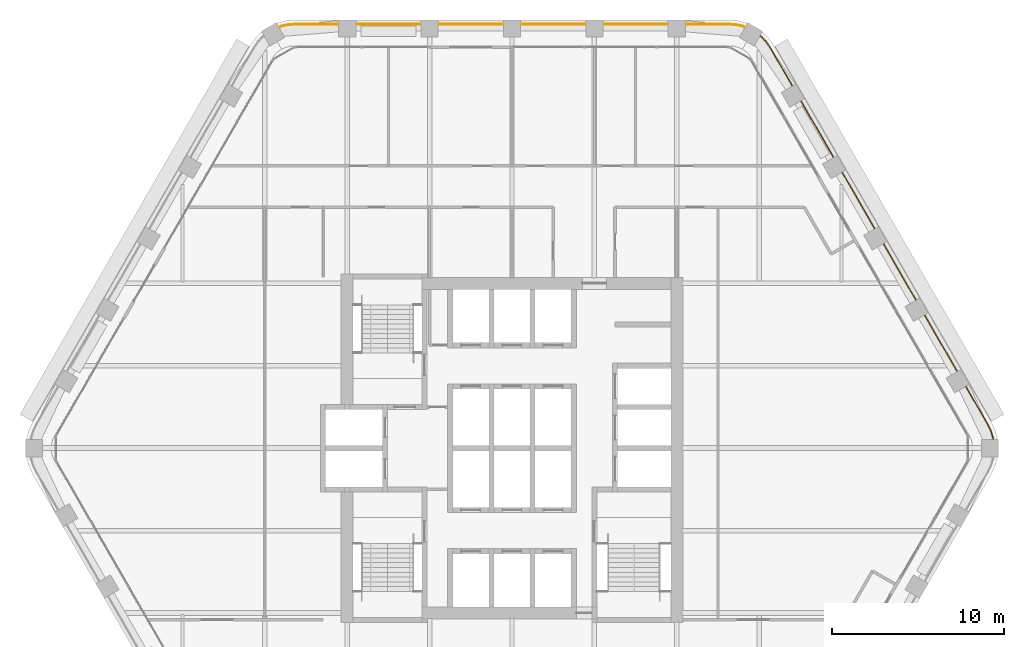
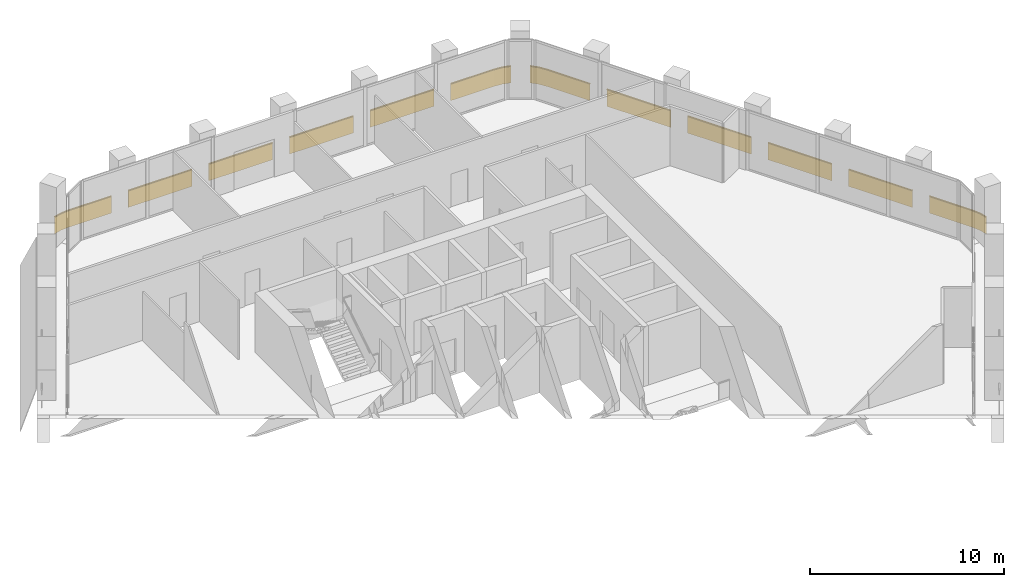
# One storey, part 15 of 15: 2 railings.
"""IFC4 building model written with IfcOpenShell, lengths in metres."""

import ifcopenshell
import ifcopenshell.guid

model = None  # the IFC model being written
_history = None  # IfcOwnerHistory: only IFC2X3 demands one
_inside = {}  # id of a spatial element -> (the spatial element, [elements in it])
_under = {}  # id of a project, library or spatial element -> (it, [spatial elements below it])
_declared = {}  # id of a project -> (the project, [libraries it declares])
_typed = {}  # id of a type object -> (the type object, [elements of that type])
_made_of = {}  # id of a material, layer set ... -> (it, [elements and type objects made of it])


def new_model(schema):
    """Start an empty IFC model of exactly this schema.

    Asked for "IFC4X3", IfcOpenShell would pick the latest addendum, in which some entities
    have other attributes; the version numbers below select the first issue.
    IFC2X3 requires an IfcOwnerHistory on every rooted entity: one is made here for all.
    """
    global model, _history
    if schema == "IFC4X3":
        model = ifcopenshell.file(schema_version=(4, 3, 0, 0))
    else:
        model = ifcopenshell.file(schema=schema)
    _inside.clear()
    _under.clear()
    _declared.clear()
    _typed.clear()
    _made_of.clear()
    _history = None
    if model.schema == "IFC2X3":
        org = make("IfcOrganization", Name="unknown")
        user = make(
            "IfcPersonAndOrganization",
            ThePerson=make("IfcPerson", FamilyName="unknown"),
            TheOrganization=org,
        )
        app = make(
            "IfcApplication",
            ApplicationDeveloper=org,
            Version="unknown",
            ApplicationFullName="unknown",
            ApplicationIdentifier="unknown",
        )
        _history = make(
            "IfcOwnerHistory",
            OwningUser=user,
            OwningApplication=app,
            ChangeAction="ADDED",
            CreationDate=0,
        )
    return model


def make(cls, **values):
    """One entity of the class cls with the attributes given. An attribute that is None is left unset."""
    return model.create_entity(
        cls, **{name: value for name, value in values.items() if value is not None}
    )


def rooted(cls, **values):
    """An entity with a GlobalId (a new one), such as an element, a storey or a relation."""
    return make(cls, GlobalId=ifcopenshell.guid.new(), OwnerHistory=_history, **values)


def si_unit(unit_type, name, prefix=None):
    """IfcSIUnit, for example si_unit("LENGTHUNIT", "METRE", prefix="MILLI")."""
    return make("IfcSIUnit", UnitType=unit_type, Prefix=prefix, Name=name)


def assignment(units):
    """IfcUnitAssignment: the units of a project."""
    return None if units is None else make("IfcUnitAssignment", Units=units)


def point(xyz):
    """IfcCartesianPoint."""
    return None if xyz is None else make("IfcCartesianPoint", Coordinates=xyz)


def direction(xyz):
    """IfcDirection."""
    return None if xyz is None else make("IfcDirection", DirectionRatios=xyz)


def frame(location, z_axis=None, x_axis=None):
    """IfcAxis2Placement3D, a coordinate frame: its origin and axes. An axis left out is left unset."""
    return make(
        "IfcAxis2Placement3D",
        Location=point(location),
        Axis=direction(z_axis),
        RefDirection=direction(x_axis),
    )


def frame_2d(location, x_axis=None):
    """IfcAxis2Placement2D, a coordinate frame in the plane: its origin and x axis."""
    return make(
        "IfcAxis2Placement2D", Location=point(location), RefDirection=direction(x_axis)
    )


def origin():
    """The frame at (0, 0, 0) with its axes left unset."""
    return frame((0.0, 0.0, 0.0))


def origin_2d():
    """The frame at (0, 0) in the plane with its x axis left unset."""
    return frame_2d((0.0, 0.0))


def place(relative_to, where):
    """IfcLocalPlacement: puts the frame where relative to a parent placement (None: the world)."""
    return make(
        "IfcLocalPlacement", PlacementRelTo=relative_to, RelativePlacement=where
    )


def context(
    kind, dimensions, precision=None, world=None, true_north=None, identifier=None
):
    """IfcGeometricRepresentationContext, for example the 3D "Model" context."""
    return make(
        "IfcGeometricRepresentationContext",
        ContextIdentifier=identifier,
        ContextType=kind,
        CoordinateSpaceDimension=dimensions,
        Precision=precision,
        WorldCoordinateSystem=world,
        TrueNorth=true_north,
    )


def subcontext(parent, identifier, kind, view, scale=None):
    """IfcGeometricRepresentationSubContext, for example "Body" below "Model"."""
    return make(
        "IfcGeometricRepresentationSubContext",
        ContextIdentifier=identifier,
        ContextType=kind,
        ParentContext=parent,
        TargetScale=scale,
        TargetView=view,
    )


def project(units=None, contexts=None):
    """IfcProject with its units and contexts."""
    return rooted(
        "IfcProject",
        Name="project",
        RepresentationContexts=contexts,
        UnitsInContext=assignment(units),
    )


def spatial(cls, under=None, at=None, **own):
    """A site, building, storey or space (cls), placed at a placement, below another one or the project."""
    s = rooted(cls, ObjectPlacement=at, **own)
    if under is not None:
        _under.setdefault(under.id(), (under, []))[1].append(s)
    return s


def profile(cls, at=None, kind="AREA", **sizes):
    """A parametric profile (cls). Its sizes go by their IFC names, for example OverallWidth=200.0."""
    return make(cls, ProfileType=kind, Position=at, **sizes)


def rectangle(**sizes):
    """IfcRectangleProfileDef."""
    return profile("IfcRectangleProfileDef", **sizes)


def extrude(swept, where, along, depth):
    """IfcExtrudedAreaSolid: the profile swept, set in the frame where, extruded along a direction by depth."""
    return make(
        "IfcExtrudedAreaSolid",
        SweptArea=swept,
        Position=where,
        ExtrudedDirection=direction(along),
        Depth=depth,
    )


def shape(context_of_items, identifier, shape_type, items):
    """IfcShapeRepresentation: the items that make up one representation, for example the "Body"."""
    return make(
        "IfcShapeRepresentation",
        ContextOfItems=context_of_items,
        RepresentationIdentifier=identifier,
        RepresentationType=shape_type,
        Items=items,
    )


def material(Name=None, Category=None):
    """IfcMaterial."""
    return make("IfcMaterial", Name=Name, Category=Category)


def made_of(thing, what):
    """Note that an element or type object is made of a material, layer set ...; save() writes the relation."""
    if what is not None:
        _made_of.setdefault(what.id(), (what, []))[1].append(thing)
    return thing


def type_object(cls, material=None, **own):
    """A type object (cls), such as IfcWallType, which elements share."""
    return made_of(rooted(cls, **own), material)


def element(
    cls,
    number,
    at=None,
    inside=None,
    cuts=None,
    type_object=None,
    material=None,
    context=None,
    identifier="Body",
    shape_type=None,
    held_by="IfcProductDefinitionShape",
    body=None,
    shapes=None,
    **own,
):
    """One element of the class cls, such as IfcWall. Its Tag is "e" and its number.

    at: its placement. inside: the storey or other place that contains it. cuts: it is an
    opening in that element (IfcRelVoidsElement). A single representation is given by context,
    identifier, shape_type and body (its items); several are given by shapes. held_by: the class
    of the entity that holds the representations. save() writes the other relations.
    """
    e = rooted(cls, Tag="e%d" % number, ObjectPlacement=at, **own)
    if body is not None:
        shapes = [shape(context, identifier, shape_type, body)]
    if shapes is not None:
        e.Representation = make(held_by, Representations=shapes)
    if inside is not None:
        _inside.setdefault(inside.id(), (inside, []))[1].append(e)
    if cuts is not None:
        rooted(
            "IfcRelVoidsElement", RelatingBuildingElement=cuts, RelatedOpeningElement=e
        )
    if type_object is not None:
        _typed.setdefault(type_object.id(), (type_object, []))[1].append(e)
    return made_of(e, material)


def aggregate(whole, parts):
    """IfcRelAggregates: a whole, such as a stair, and the parts it consists of."""
    return rooted("IfcRelAggregates", RelatingObject=whole, RelatedObjects=parts)


def save(model, path):
    """Write the relations noted so far, then the file.

    IfcRelAggregates (storeys below a building ...), IfcRelContainedInSpatialStructure (elements
    in a storey), IfcRelDefinesByType, IfcRelAssociatesMaterial and IfcRelDeclares: one each for
    every whole, place, type object, material and project.
    """
    for whole, parts in _under.values():
        aggregate(whole, parts)
    for where, things in _inside.values():
        rooted(
            "IfcRelContainedInSpatialStructure",
            RelatedElements=things,
            RelatingStructure=where,
        )
    for kind, things in _typed.values():
        rooted("IfcRelDefinesByType", RelatedObjects=things, RelatingType=kind)
    for what, things in _made_of.values():
        rooted("IfcRelAssociatesMaterial", RelatedObjects=things, RelatingMaterial=what)
    for by, libraries in _declared.values():
        rooted("IfcRelDeclares", RelatingContext=by, RelatedDefinitions=libraries)
    model.write(path)


model = new_model("IFC4")

# Units and contexts
model_context = context("Model", 3, precision=1e-05, world=origin(), true_north=direction((0.0, 1.0)))
body_context = subcontext(model_context, "Body", "Model", "MODEL_VIEW")
ifc_project = project(units=[si_unit("LENGTHUNIT", "METRE"), si_unit("AREAUNIT", "SQUARE_METRE"), si_unit("VOLUMEUNIT", "CUBIC_METRE"), si_unit("PLANEANGLEUNIT", "RADIAN"), si_unit("MASSUNIT", "GRAM", prefix="KILO")], contexts=[model_context])

# Site, building, storey
site_placement = place(None, origin())
site = spatial("IfcSite", under=ifc_project, at=site_placement, CompositionType="ELEMENT")
building_placement = place(site_placement, origin())
building = spatial("IfcBuilding", under=site, at=building_placement, Name="Kolab Exchange Tower", CompositionType="ELEMENT")
storey_placement = place(building_placement, frame((0.0, 0.0, 154.39990234375)))
storey = spatial("IfcBuildingStorey", under=building, at=storey_placement, Name="L31", CompositionType="ELEMENT", Elevation=154.39990234375)

# Railings
ifc_material = material(Name="Steel S235", Category="steel")
railing_type = type_object("IfcRailingType", Name="GUARD 1100 GLASS BALUSTRADE AND STEEL TOP RAIL", PredefinedType="GUARDRAIL", material=ifc_material)
railing_1_placement = place(storey_placement, frame((13.588623046875, 24.531005859375, 0.0)))
element("IfcRailing", 1, at=railing_1_placement, inside=storey, type_object=railing_type, Name="Guard", PredefinedType="GUARDRAIL", context=body_context, shape_type="SweptSolid", body=[
    extrude(rectangle(XDim=0.05, YDim=0.05, at=origin_2d()), frame((0.0, 0.0, 1.0751953125), z_axis=(-0.965969425465, 0.25865627591, 0.0), x_axis=(-0.25865627591, -0.965969425465, 0.0)), (0.0, 0.0, 1.0), 0.458740234375),
    extrude(rectangle(XDim=0.012, YDim=1.05009765625, at=frame_2d((0.0, 0.525146484375))), frame((0.0, 0.0, 0.0), z_axis=(-0.965969425465, 0.25865627591, 0.0), x_axis=(-0.25865627591, -0.965969425465, 0.0)), (0.0, 0.0, 1.0), 0.458740234375),
    extrude(rectangle(XDim=0.05, YDim=0.05, at=origin_2d()), frame((-0.443115234375, 0.11865234375, 1.0751953125), z_axis=(-0.996156034798, 0.087596542937, 0.0), x_axis=(-0.087596542937, -0.996156034798, 0.0)), (0.0, 0.0, 1.0), 0.4794921875),
    extrude(rectangle(XDim=0.012, YDim=1.05009765625, at=frame_2d((0.0, 0.525146484375))), frame((-0.443115234375, 0.11865234375, 0.0), z_axis=(-0.996156034798, 0.087596542937, 0.0), x_axis=(-0.087596542937, -0.996156034798, 0.0)), (0.0, 0.0, 1.0), 0.4794921875),
    extrude(rectangle(XDim=0.05, YDim=0.05, at=origin_2d()), frame((-0.920654296875, 0.16064453125, 1.0751953125), z_axis=(-1.0, 0.0, 0.0), x_axis=(0.0, -1.0, 0.0)), (0.0, 0.0, 1.0), 2.56787109375),
    extrude(rectangle(XDim=0.012, YDim=1.05009765625, at=frame_2d((0.0, 0.525146484375))), frame((-0.920654296875, 0.16064453125, 0.0), z_axis=(-1.0, 0.0, 0.0), x_axis=(0.0, -1.0, 0.0)), (0.0, 0.0, 1.0), 2.56787109375),
    extrude(rectangle(XDim=0.05, YDim=0.05, at=origin_2d()), frame((-4.488525390625, 0.16064453125, 1.0751953125), z_axis=(-1.0, 0.0, 0.0), x_axis=(0.0, -1.0, 0.0)), (0.0, 0.0, 1.0), 3.800048828125),
    extrude(rectangle(XDim=0.012, YDim=1.05009765625, at=frame_2d((0.0, 0.525146484375))), frame((-4.488525390625, 0.16064453125, 0.0), z_axis=(-1.0, 0.0, 0.0), x_axis=(0.0, -1.0, 0.0)), (0.0, 0.0, 1.0), 3.800048828125),
    extrude(rectangle(XDim=0.05, YDim=0.05, at=origin_2d()), frame((-9.28857421875, 0.16064453125, 1.0751953125), z_axis=(-1.0, 0.0, 0.0), x_axis=(0.0, -1.0, 0.0)), (0.0, 0.0, 1.0), 3.800048828125),
    extrude(rectangle(XDim=0.012, YDim=1.05009765625, at=frame_2d((0.0, 0.525146484375))), frame((-9.28857421875, 0.16064453125, 0.0), z_axis=(-1.0, 0.0, 0.0), x_axis=(0.0, -1.0, 0.0)), (0.0, 0.0, 1.0), 3.800048828125),
    extrude(rectangle(XDim=0.05, YDim=0.05, at=origin_2d()), frame((-14.088623046875, 0.16064453125, 1.0751953125), z_axis=(-1.0, 0.0, 0.0), x_axis=(0.0, -1.0, 0.0)), (0.0, 0.0, 1.0), 3.800048828125),
    extrude(rectangle(XDim=0.012, YDim=1.05009765625, at=frame_2d((0.0, 0.525146484375))), frame((-14.088623046875, 0.16064453125, 0.0), z_axis=(-1.0, 0.0, 0.0), x_axis=(0.0, -1.0, 0.0)), (0.0, 0.0, 1.0), 3.800048828125),
    extrude(rectangle(XDim=0.05, YDim=0.05, at=origin_2d()), frame((-18.888671875, 0.16064453125, 1.0751953125), z_axis=(-1.0, 0.0, 0.0), x_axis=(0.0, -1.0, 0.0)), (0.0, 0.0, 1.0), 3.800048828125),
    extrude(rectangle(XDim=0.012, YDim=1.05009765625, at=frame_2d((0.0, 0.525146484375))), frame((-18.888671875, 0.16064453125, 0.0), z_axis=(-1.0, 0.0, 0.0), x_axis=(0.0, -1.0, 0.0)), (0.0, 0.0, 1.0), 3.800048828125),
    extrude(rectangle(XDim=0.05, YDim=0.05, at=origin_2d()), frame((-23.688720703125, 0.16064453125, 1.0751953125), z_axis=(-1.0, 0.0, 0.0), x_axis=(0.0, -1.0, 0.0)), (0.0, 0.0, 1.0), 2.56787109375),
    extrude(rectangle(XDim=0.012, YDim=1.05009765625, at=frame_2d((0.0, 0.525146484375))), frame((-23.688720703125, 0.16064453125, 0.0), z_axis=(-1.0, 0.0, 0.0), x_axis=(0.0, -1.0, 0.0)), (0.0, 0.0, 1.0), 2.56787109375),
    extrude(rectangle(XDim=0.05, YDim=0.05, at=origin_2d()), frame((-26.256591796875, 0.16064453125, 1.0751953125), z_axis=(-0.996156034798, -0.087596542937, 0.0), x_axis=(0.087596542937, -0.996156034798, 0.0)), (0.0, 0.0, 1.0), 0.4794921875),
    extrude(rectangle(XDim=0.012, YDim=1.05009765625, at=frame_2d((0.0, 0.525146484375))), frame((-26.256591796875, 0.16064453125, 0.0), z_axis=(-0.996156034798, -0.087596542937, 0.0), x_axis=(0.087596542937, -0.996156034798, 0.0)), (0.0, 0.0, 1.0), 0.4794921875),
    extrude(rectangle(XDim=0.05, YDim=0.05, at=origin_2d()), frame((-26.734130859375, 0.11865234375, 1.0751953125), z_axis=(-0.965969425465, -0.25865627591, 0.0), x_axis=(0.25865627591, -0.965969425465, 0.0)), (0.0, 0.0, 1.0), 0.458740234375),
    extrude(rectangle(XDim=0.012, YDim=1.05009765625, at=frame_2d((0.0, 0.525146484375))), frame((-26.734130859375, 0.11865234375, 0.0), z_axis=(-0.965969425465, -0.25865627591, 0.0), x_axis=(0.25865627591, -0.965969425465, 0.0)), (0.0, 0.0, 1.0), 0.458740234375),
])
railing_2_placement = place(storey_placement, frame((28.038818359375, 0.49755859375, 0.0)))
element("IfcRailing", 2, at=railing_2_placement, inside=storey, type_object=railing_type, Name="Guard", PredefinedType="GUARDRAIL", context=body_context, shape_type="SweptSolid", body=[
    extrude(rectangle(XDim=0.05, YDim=0.05, at=origin_2d()), frame((0.0, 0.0, 1.0751953125), z_axis=(-0.25865627591, 0.965969425465, 0.0), x_axis=(-0.965969425465, -0.25865627591, 0.0)), (0.0, 0.0, 1.0), 0.458740234375),
    extrude(rectangle(XDim=0.012, YDim=1.05009765625, at=frame_2d((0.0, 0.525146484375))), frame((0.0, 0.0, 0.0), z_axis=(-0.25865627591, 0.965969425465, 0.0), x_axis=(-0.965969425465, -0.25865627591, 0.0)), (0.0, 0.0, 1.0), 0.458740234375),
    extrude(rectangle(XDim=0.05, YDim=0.05, at=origin_2d()), frame((-0.11865234375, 0.443115234375, 1.0751953125), z_axis=(-0.422801802984, 0.906222177721, 0.0), x_axis=(-0.906222177721, -0.422801802984, 0.0)), (0.0, 0.0, 1.0), 0.479248046875),
    extrude(rectangle(XDim=0.012, YDim=1.05009765625, at=frame_2d((0.0, 0.525146484375))), frame((-0.11865234375, 0.443115234375, 0.0), z_axis=(-0.422801802984, 0.906222177721, 0.0), x_axis=(-0.906222177721, -0.422801802984, 0.0)), (0.0, 0.0, 1.0), 0.479248046875),
    extrude(rectangle(XDim=0.05, YDim=0.05, at=origin_2d()), frame((-0.3212890625, 0.87744140625, 1.0751953125), z_axis=(-0.499994038704, 0.866028845513, 0.0), x_axis=(-0.866028845513, -0.499994038704, 0.0)), (0.0, 0.0, 1.0), 2.56787109375),
    extrude(rectangle(XDim=0.012, YDim=1.05009765625, at=frame_2d((0.0, 0.525146484375))), frame((-0.3212890625, 0.87744140625, 0.0), z_axis=(-0.499994038704, 0.866028845513, 0.0), x_axis=(-0.866028845513, -0.499994038704, 0.0)), (0.0, 0.0, 1.0), 2.56787109375),
    extrude(rectangle(XDim=0.05, YDim=0.05, at=origin_2d()), frame((-2.105224609375, 3.96728515625, 1.0751953125), z_axis=(-0.500015340139, 0.86601654697, 0.0), x_axis=(-0.86601654697, -0.500015340139, 0.0)), (0.0, 0.0, 1.0), 3.80029296875),
    extrude(rectangle(XDim=0.012, YDim=1.05009765625, at=frame_2d((0.0, 0.525146484375))), frame((-2.105224609375, 3.96728515625, 0.0), z_axis=(-0.500015340139, 0.86601654697, 0.0), x_axis=(-0.86601654697, -0.500015340139, 0.0)), (0.0, 0.0, 1.0), 3.80029296875),
    extrude(rectangle(XDim=0.05, YDim=0.05, at=origin_2d()), frame((-4.50537109375, 8.124267578125, 1.0751953125), z_axis=(-0.499967155389, 0.866044365799, 0.0), x_axis=(-0.866044365799, -0.499967155389, 0.0)), (0.0, 0.0, 1.0), 3.800048828125),
    extrude(rectangle(XDim=0.012, YDim=1.05009765625, at=frame_2d((0.0, 0.525146484375))), frame((-4.50537109375, 8.124267578125, 0.0), z_axis=(-0.499967155389, 0.866044365799, 0.0), x_axis=(-0.866044365799, -0.499967155389, 0.0)), (0.0, 0.0, 1.0), 3.800048828125),
    extrude(rectangle(XDim=0.05, YDim=0.05, at=origin_2d()), frame((-6.9052734375, 12.28125, 1.0751953125), z_axis=(-0.500043160704, 0.866000483506, 0.0), x_axis=(-0.866000483506, -0.500043160704, 0.0)), (0.0, 0.0, 1.0), 3.800048828125),
    extrude(rectangle(XDim=0.012, YDim=1.05009765625, at=frame_2d((0.0, 0.525146484375))), frame((-6.9052734375, 12.28125, 0.0), z_axis=(-0.500043160704, 0.866000483506, 0.0), x_axis=(-0.866000483506, -0.500043160704, 0.0)), (0.0, 0.0, 1.0), 3.800048828125),
    extrude(rectangle(XDim=0.05, YDim=0.05, at=origin_2d()), frame((-9.305419921875, 16.438232421875, 1.0751953125), z_axis=(-0.499994975061, 0.866028304915, 0.0), x_axis=(-0.866028304915, -0.499994975061, 0.0)), (0.0, 0.0, 1.0), 3.7998046875),
    extrude(rectangle(XDim=0.012, YDim=1.05009765625, at=frame_2d((0.0, 0.525146484375))), frame((-9.305419921875, 16.438232421875, 0.0), z_axis=(-0.499994975061, 0.866028304915, 0.0), x_axis=(-0.866028304915, -0.499994975061, 0.0)), (0.0, 0.0, 1.0), 3.7998046875),
    extrude(rectangle(XDim=0.05, YDim=0.05, at=origin_2d()), frame((-11.705322265625, 20.594970703125, 1.0751953125), z_axis=(-0.499952873616, 0.866052610505, 0.0), x_axis=(-0.866052610505, -0.499952873616, 0.0)), (0.0, 0.0, 1.0), 2.568115234375),
    extrude(rectangle(XDim=0.012, YDim=1.05009765625, at=frame_2d((0.0, 0.525146484375))), frame((-11.705322265625, 20.594970703125, 0.0), z_axis=(-0.499952873616, 0.866052610505, 0.0), x_axis=(-0.866052610505, -0.499952873616, 0.0)), (0.0, 0.0, 1.0), 2.568115234375),
    extrude(rectangle(XDim=0.05, YDim=0.05, at=origin_2d()), frame((-12.9892578125, 22.819091796875, 1.0751953125), z_axis=(-0.573599091554, 0.819136180478, 0.0), x_axis=(-0.819136180478, -0.573599091554, 0.0)), (0.0, 0.0, 1.0), 0.479248046875),
    extrude(rectangle(XDim=0.012, YDim=1.05009765625, at=frame_2d((0.0, 0.525146484375))), frame((-12.9892578125, 22.819091796875, 0.0), z_axis=(-0.573599091554, 0.819136180478, 0.0), x_axis=(-0.819136180478, -0.573599091554, 0.0)), (0.0, 0.0, 1.0), 0.479248046875),
    extrude(rectangle(XDim=0.05, YDim=0.05, at=origin_2d()), frame((-13.26416015625, 23.211669921875, 1.0751953125), z_axis=(-0.70737286085, 0.706840601361, 0.0), x_axis=(-0.706840601361, -0.70737286085, 0.0)), (0.0, 0.0, 1.0), 0.458740234375),
    extrude(rectangle(XDim=0.012, YDim=1.05009765625, at=frame_2d((0.0, 0.525146484375))), frame((-13.26416015625, 23.211669921875, 0.0), z_axis=(-0.70737286085, 0.706840601361, 0.0), x_axis=(-0.706840601361, -0.70737286085, 0.0)), (0.0, 0.0, 1.0), 0.458740234375),
])

save(model, "model.ifc")
